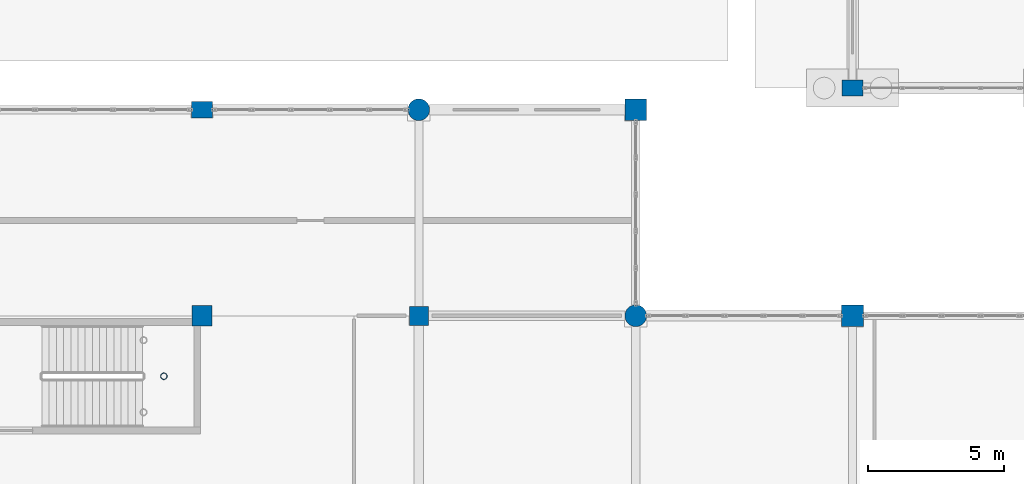
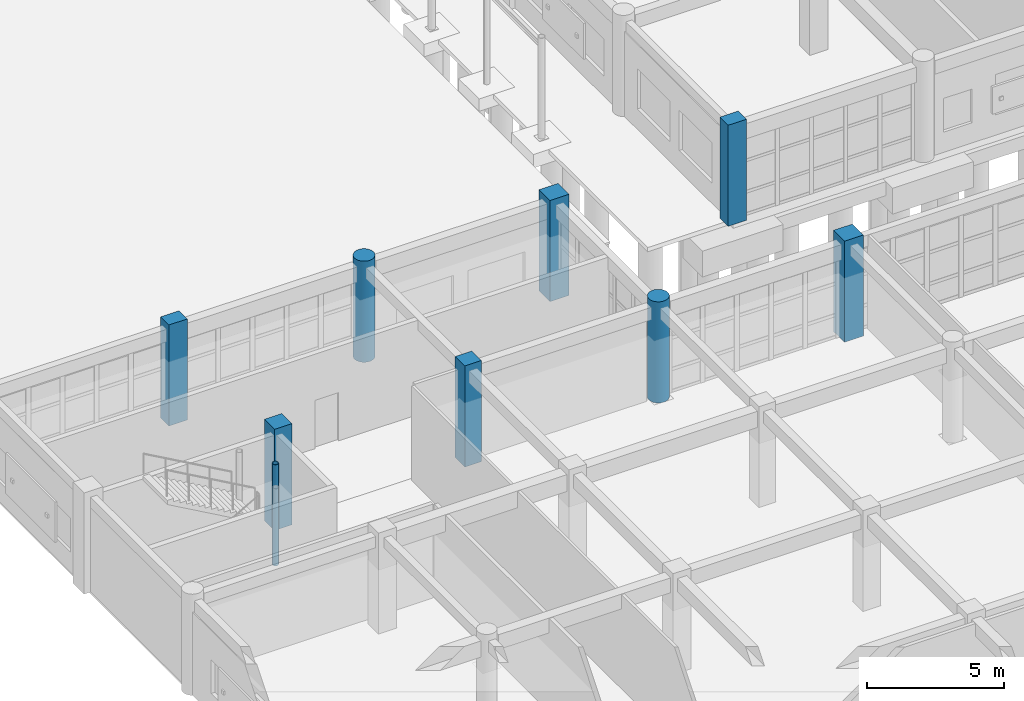
# One storey, part 41 of 166: 9 columns.
"""IFC4 building model written with IfcOpenShell, lengths in metres."""

from ifc_helpers import new_model, si_unit, direction, frame, origin, origin_2d, place, context, subcontext, project, spatial, rectangle, circle, hollow_circle, extrude, material, material_profile, profile_set, type_object, element, save


model = new_model("IFC4")

# Units and contexts
model_context = context("Model", 3, precision=1e-05, world=origin(), true_north=direction((0.0, 1.0)))
body_context = subcontext(model_context, "Body", "Model", "MODEL_VIEW")
ifc_project = project(units=[si_unit("LENGTHUNIT", "METRE"), si_unit("AREAUNIT", "SQUARE_METRE"), si_unit("VOLUMEUNIT", "CUBIC_METRE"), si_unit("PLANEANGLEUNIT", "RADIAN"), si_unit("MASSUNIT", "GRAM", prefix="KILO")], contexts=[model_context])

# Site, building, storey
site_placement = place(None, origin())
site = spatial("IfcSite", under=ifc_project, at=site_placement, CompositionType="ELEMENT")
building_placement = place(site_placement, origin())
building = spatial("IfcBuilding", under=site, at=building_placement, Name="Kharva Crest Polytechnic", CompositionType="ELEMENT")
storey_placement = place(building_placement, origin())
storey = spatial("IfcBuildingStorey", under=building, at=storey_placement, Name="L00", CompositionType="ELEMENT", Elevation=0.0)

# Columns
ifc_material_1 = material(Name="Concrete C40/50", Category="concrete")
ifc_material_profile_1 = material_profile(ifc_material_1, rectangle(XDim=0.780029296875, YDim=0.60009765625, at=origin_2d()), Name="RECT 780 X 600")
ifc_profile_set_1 = profile_set([ifc_material_profile_1], Name="Concrete C40/50")
column_type_1 = type_object("IfcColumnType", Name="COL-EXT-780X600", PredefinedType="COLUMN", material=ifc_profile_set_1)
for number, where, z_axis, x_axis, name in (
    (1, (128.800048828125, 38.0, 0.0), (0.0, 0.0, 1.0), (1.0, 0.0, 0.0), "L00 Column 17/F"),
    (2, (152.800048828125, 38.800048828125, 0.0), (0.0, 0.0, 1.0), (1.0, 0.0, 0.0), "L00 Column 20/FJ"),
):
    element("IfcColumn", number, at=place(storey_placement, frame(where, z_axis=z_axis, x_axis=x_axis)), inside=storey, type_object=column_type_1, Name=name, PredefinedType="COLUMN", context=body_context, shape_type="SweptSolid", body=[
        extrude(rectangle(XDim=0.780029296875, YDim=0.60009765625, at=origin_2d()), origin(), (0.0, 0.0, 1.0), 4.5),
    ])
ifc_material_profile_2 = material_profile(ifc_material_1, rectangle(XDim=0.800048828125, YDim=0.800048828125, at=origin_2d()), Name="RECT 800 X 800")
ifc_profile_set_2 = profile_set([ifc_material_profile_2], Name="Concrete C40/50")
column_type_2 = type_object("IfcColumnType", Name="COL-EXT-800X800", PredefinedType="COLUMN", material=ifc_profile_set_2)
for number, where, z_axis, x_axis, name in (
    (3, (144.800048828125, 38.0, 0.0), (0.0, 0.0, 1.0), (1.0, 0.0, 0.0), "L00 Column 19/F"),
    (4, (152.800048828125, 30.39990234375, 0.0), (0.0, 0.0, 1.0), (1.0, 0.0, 0.0), "L00 Column 20/E"),
):
    element("IfcColumn", number, at=place(storey_placement, frame(where, z_axis=z_axis, x_axis=x_axis)), inside=storey, type_object=column_type_2, Name=name, PredefinedType="COLUMN", context=body_context, shape_type="SweptSolid", body=[
        extrude(rectangle(XDim=0.800048828125, YDim=0.800048828125, at=origin_2d()), origin(), (0.0, 0.0, 1.0), 4.5),
    ])
ifc_material_profile_3 = material_profile(ifc_material_1, circle(Radius=0.39990234375, at=origin_2d()), Name="DIA 800")
ifc_profile_set_3 = profile_set([ifc_material_profile_3], Name="Concrete C40/50")
column_type_3 = type_object("IfcColumnType", Name="COL-EXT-DIA800", PredefinedType="COLUMN", material=ifc_profile_set_3)
for number, where, z_axis, x_axis, name in (
    (5, (136.800048828125, 38.0, 0.0), (0.0, 0.0, 1.0), (1.0, 0.0, 0.0), "L00 Column 18/F"),
    (6, (144.800048828125, 30.39990234375, 0.0), (0.0, 0.0, 1.0), (1.0, 0.0, 0.0), "L00 Column 19/E"),
):
    element("IfcColumn", number, at=place(storey_placement, frame(where, z_axis=z_axis, x_axis=x_axis)), inside=storey, type_object=column_type_3, Name=name, PredefinedType="COLUMN", context=body_context, shape_type="SweptSolid", body=[
        extrude(circle(Radius=0.39990234375, at=origin_2d()), origin(), (0.0, 0.0, 1.0), 4.5),
    ])
ifc_material_profile_4 = material_profile(ifc_material_1, rectangle(XDim=0.699951171875, YDim=0.699951171875, at=origin_2d()), Name="RECT 700 X 700")
ifc_profile_set_4 = profile_set([ifc_material_profile_4], Name="Concrete C40/50")
column_type_4 = type_object("IfcColumnType", Name="COL-INT-700X700", PredefinedType="COLUMN", material=ifc_profile_set_4)
column_1_placement = place(storey_placement, frame((136.800048828125, 30.39990234375, 0.0), z_axis=(0.0, 0.0, 1.0), x_axis=(1.0, 0.0, 0.0)))
element("IfcColumn", 7, at=column_1_placement, inside=storey, type_object=column_type_4, Name="L00 Column 18/E", PredefinedType="COLUMN", context=body_context, shape_type="SweptSolid", body=[
    extrude(rectangle(XDim=0.699951171875, YDim=0.699951171875, at=origin_2d()), origin(), (0.0, 0.0, 1.0), 4.5),
])
ifc_material_profile_5 = material_profile(ifc_material_1, rectangle(XDim=0.739990234375, YDim=0.739990234375, at=origin_2d()), Name="RECT 740 X 740")
ifc_profile_set_5 = profile_set([ifc_material_profile_5], Name="Concrete C40/50")
column_type_5 = type_object("IfcColumnType", Name="COL-INT-740X740", PredefinedType="COLUMN", material=ifc_profile_set_5)
column_2_placement = place(storey_placement, frame((128.800048828125, 30.39990234375, 0.0), z_axis=(0.0, 0.0, 1.0), x_axis=(1.0, 0.0, 0.0)))
element("IfcColumn", 8, at=column_2_placement, inside=storey, type_object=column_type_5, Name="L00 Column 17/E", PredefinedType="COLUMN", context=body_context, shape_type="SweptSolid", body=[
    extrude(rectangle(XDim=0.739990234375, YDim=0.739990234375, at=origin_2d()), origin(), (0.0, 0.0, 1.0), 4.5),
])
ifc_material_2 = material(Name="Steel S355", Category="steel")
ifc_material_profile_6 = material_profile(ifc_material_2, hollow_circle(Radius=0.122314453125, WallThickness=0.010009765625, at=origin_2d()), Name="CHS 244.5X10.0")
ifc_profile_set_6 = profile_set([ifc_material_profile_6], Name="Steel S355")
column_type_6 = type_object("IfcColumnType", Name="COL-STL-CHS244", PredefinedType="COLUMN", material=ifc_profile_set_6)
column_3_placement = place(storey_placement, frame((127.39501953125, 28.169921875, 0.0), z_axis=(0.0, 0.0, 1.0), x_axis=(1.0, 0.0, 0.0)))
element("IfcColumn", 9, at=column_3_placement, inside=storey, type_object=column_type_6, Name="L00 Stair ST-07 Landing Support Column EM", PredefinedType="COLUMN", context=body_context, shape_type="SweptSolid", body=[
    extrude(hollow_circle(Radius=0.122314453125, WallThickness=0.010009765625, at=origin_2d()), origin(), (0.0, 0.0, 1.0), 4.5),
])

save(model, "model.ifc")
